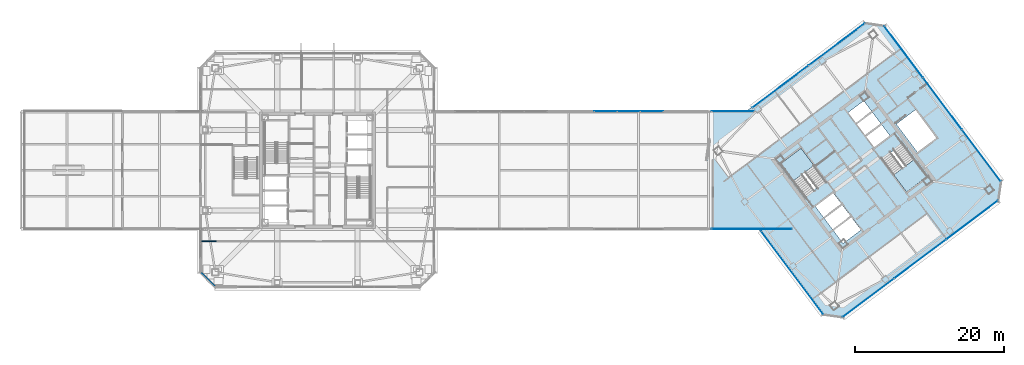
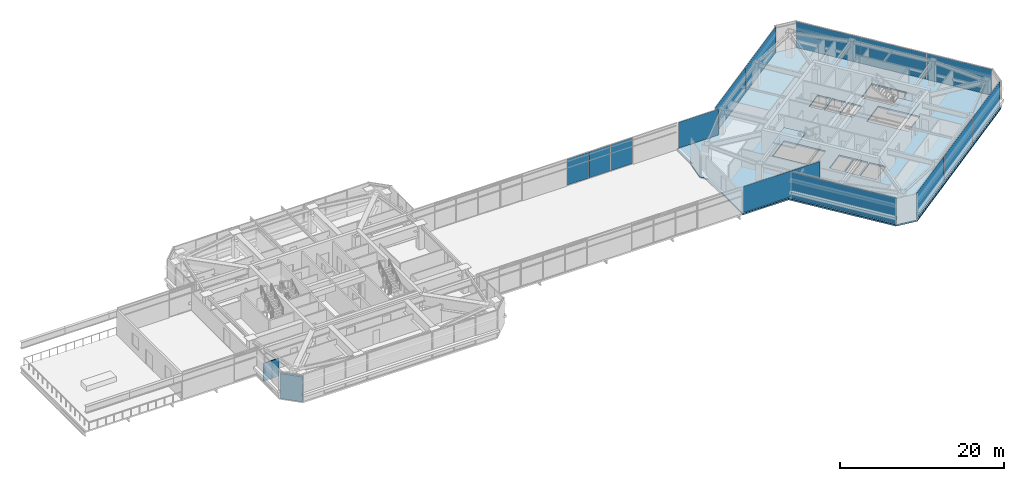
# One storey, part 40 of 51: 14 plates, 3 slabs, 2 walls, 9 elements without a shape of their own.
"""IFC4 building model written with IfcOpenShell, lengths in metres."""

from ifc_helpers import new_model, si_unit, direction, frame, frame_2d, origin, origin_2d, place, context, subcontext, project, spatial, polyline, rectangle, outline, extrude, material, layer, layer_set, type_object, element, aggregate, save


model = new_model("IFC4")

# Units and contexts
model_context = context("Model", 3, precision=1e-05, world=origin(), true_north=direction((0.0, 1.0)))
body_context = subcontext(model_context, "Body", "Model", "MODEL_VIEW")
ifc_project = project(units=[si_unit("LENGTHUNIT", "METRE"), si_unit("AREAUNIT", "SQUARE_METRE"), si_unit("VOLUMEUNIT", "CUBIC_METRE"), si_unit("PLANEANGLEUNIT", "RADIAN"), si_unit("MASSUNIT", "GRAM", prefix="KILO")], contexts=[model_context])

# Site, building, storey
site_placement = place(None, origin())
site = spatial("IfcSite", under=ifc_project, at=site_placement, CompositionType="ELEMENT")
building_placement = place(site_placement, origin())
building = spatial("IfcBuilding", under=site, at=building_placement, Name="Tashvorn Skyway Center", CompositionType="ELEMENT")
storey_placement = place(building_placement, frame((0.0, 0.0, 259.39990234375)))
storey = spatial("IfcBuildingStorey", under=building, at=storey_placement, Name="L70", CompositionType="ELEMENT", Elevation=259.39990234375)

# Curtain wall, plates
ifc_material_1 = material(Name="Thermally broken bronze-anodized aluminium 6063-T6", Category="aluminium")
curtain_wall_type = type_object("IfcCurtainWallType", Name="CW-CW-SKY", PredefinedType="NOTDEFINED", material=ifc_material_1)
curtain_wall_1_placement = place(storey_placement, origin())
curtain_wall_1 = element("IfcCurtainWall", 1, at=curtain_wall_1_placement, inside=storey, type_object=curtain_wall_type, Name="Tower 2 L70 South Unitised Curtain Wall", PredefinedType="NOTDEFINED")
ifc_material_2 = material(Name="Low-E solar-control double insulating safety glass", Category="glass")
ifc_layer_1 = layer(ifc_material_2, 0.028076171875)
ifc_layer_set_1 = layer_set([ifc_layer_1], Name="Low-E solar-control double insulating safety glass")
plate_type = type_object("IfcPlateType", Name="CWP-CW-SKY", PredefinedType="CURTAIN_PANEL", material=ifc_layer_set_1)
plate_1_placement = place(storey_placement, frame((129.89111328125, 25.318359375, 0.06494140625), z_axis=(0.0, 0.0, 1.0), x_axis=(-0.799999999998, -0.600000000002, 0.0)))
plate_1 = element("IfcPlate", 2, at=plate_1_placement, type_object=plate_type, Name="CW-SKY panel 1.1", PredefinedType="CURTAIN_PANEL", context=body_context, shape_type="SweptSolid", body=[
    extrude(rectangle(XDim=8.62255859375, YDim=0.028076171875, at=origin_2d()), origin(), (0.0, 0.0, 1.0), 3.8701171875),
])
plate_2_placement = place(storey_placement, frame((122.927978515625, 20.095947265625, 0.06494140625), z_axis=(0.0, 0.0, 1.0), x_axis=(-0.799999999998, -0.600000000002, 0.0)))
plate_2 = element("IfcPlate", 3, at=plate_2_placement, type_object=plate_type, Name="CW-SKY panel 2.1", PredefinedType="CURTAIN_PANEL", context=body_context, shape_type="SweptSolid", body=[
    extrude(rectangle(XDim=8.655029296875, YDim=0.028076171875, at=origin_2d()), origin(), (0.0, 0.0, 1.0), 3.8701171875),
])
plate_3_placement = place(storey_placement, frame((115.965087890625, 14.873779296875, 0.06494140625), z_axis=(0.0, 0.0, 1.0), x_axis=(-0.799999999998, -0.600000000002, 0.0)))
plate_3 = element("IfcPlate", 4, at=plate_3_placement, type_object=plate_type, Name="CW-SKY panel 3.1", PredefinedType="CURTAIN_PANEL", context=body_context, shape_type="SweptSolid", body=[
    extrude(rectangle(XDim=8.62255859375, YDim=0.028076171875, at=origin_2d()), origin(), (0.0, 0.0, 1.0), 3.8701171875),
])
aggregate(curtain_wall_1, [plate_1, plate_2, plate_3])

# Curtain wall, plate
curtain_wall_2_placement = place(storey_placement, origin())
curtain_wall_2 = element("IfcCurtainWall", 5, at=curtain_wall_2_placement, inside=storey, type_object=curtain_wall_type, Name="Tower 2 L70 West Curtain Wall A", PredefinedType="NOTDEFINED")
plate_4_placement = place(storey_placement, frame((105.735107421875, 18.219970703125, 0.06494140625), z_axis=(0.0, 0.0, 1.0), x_axis=(-0.600000000002, 0.799999999998, 0.0)))
plate_4 = element("IfcPlate", 6, at=plate_4_placement, type_object=plate_type, Name="CW-SKY panel 1.1", PredefinedType="CURTAIN_PANEL", context=body_context, shape_type="SweptSolid", body=[
    extrude(rectangle(XDim=13.89990234375, YDim=0.028076171875, at=origin_2d()), origin(), (0.0, 0.0, 1.0), 3.8701171875),
])
aggregate(curtain_wall_2, [plate_4])

# Curtain wall, plates
curtain_wall_3_placement = place(storey_placement, origin())
curtain_wall_3 = element("IfcCurtainWall", 7, at=curtain_wall_3_placement, inside=storey, type_object=curtain_wall_type, Name="Tower 2 L70 North Curtain Wall B", PredefinedType="NOTDEFINED")
plate_5_placement = place(storey_placement, frame((104.131103515625, 43.1982421875, 0.06494140625), z_axis=(0.0, 0.0, 1.0), x_axis=(0.799999999998, 0.600000000002, 0.0)))
plate_5 = element("IfcPlate", 8, at=plate_5_placement, type_object=plate_type, Name="CW-SKY panel 1.1", PredefinedType="CURTAIN_PANEL", context=body_context, shape_type="SweptSolid", body=[
    extrude(rectangle(XDim=9.41748046875, YDim=0.028076171875, at=origin_2d()), origin(), (0.0, 0.0, 1.0), 3.8701171875),
])
plate_6_placement = place(storey_placement, frame((111.717041015625, 48.8876953125, 0.06494140625), z_axis=(0.0, 0.0, 1.0), x_axis=(0.799999999998, 0.600000000002, 0.0)))
plate_6 = element("IfcPlate", 9, at=plate_6_placement, type_object=plate_type, Name="CW-SKY panel 2.1", PredefinedType="CURTAIN_PANEL", context=body_context, shape_type="SweptSolid", body=[
    extrude(rectangle(XDim=9.41748046875, YDim=0.028076171875, at=origin_2d()), origin(), (0.0, 0.0, 1.0), 3.8701171875),
])
aggregate(curtain_wall_3, [plate_5, plate_6])

curtain_wall_4_placement = place(storey_placement, origin())
curtain_wall_4 = element("IfcCurtainWall", 10, at=curtain_wall_4_placement, inside=storey, type_object=curtain_wall_type, Name="Tower 2 L70 East Unitised Curtain Wall", PredefinedType="NOTDEFINED")
plate_7_placement = place(storey_placement, frame((120.681640625, 47.89111328125, 0.06494140625), z_axis=(0.0, 0.0, 1.0), x_axis=(0.600000000002, -0.799999999998, 0.0)))
plate_7 = element("IfcPlate", 11, at=plate_7_placement, type_object=plate_type, Name="CW-SKY panel 1.1", PredefinedType="CURTAIN_PANEL", context=body_context, shape_type="SweptSolid", body=[
    extrude(rectangle(XDim=8.62255859375, YDim=0.028076171875, at=origin_2d()), origin(), (0.0, 0.0, 1.0), 3.8701171875),
])
plate_8_placement = place(storey_placement, frame((125.904052734375, 40.927978515625, 0.06494140625), z_axis=(0.0, 0.0, 1.0), x_axis=(0.600000000002, -0.799999999998, 0.0)))
plate_8 = element("IfcPlate", 12, at=plate_8_placement, type_object=plate_type, Name="CW-SKY panel 2.1", PredefinedType="CURTAIN_PANEL", context=body_context, shape_type="SweptSolid", body=[
    extrude(rectangle(XDim=8.655029296875, YDim=0.028076171875, at=origin_2d()), origin(), (0.0, 0.0, 1.0), 3.8701171875),
])
plate_9_placement = place(storey_placement, frame((131.126220703125, 33.965087890625, 0.06494140625), z_axis=(0.0, 0.0, 1.0), x_axis=(0.600000000002, -0.799999999998, 0.0)))
plate_9 = element("IfcPlate", 13, at=plate_9_placement, type_object=plate_type, Name="CW-SKY panel 3.1", PredefinedType="CURTAIN_PANEL", context=body_context, shape_type="SweptSolid", body=[
    extrude(rectangle(XDim=8.62255859375, YDim=0.028076171875, at=origin_2d()), origin(), (0.0, 0.0, 1.0), 3.8701171875),
])
aggregate(curtain_wall_4, [plate_7, plate_8, plate_9])

curtain_wall_5_placement = place(storey_placement, origin())
curtain_wall_5 = element("IfcCurtainWall", 14, at=curtain_wall_5_placement, inside=storey, type_object=curtain_wall_type, Name="Sky-Park L70 Bridge North Curtain Wall Glazing Group 2", PredefinedType="NOTDEFINED")
plate_10_placement = place(storey_placement, frame((80.69873046875, 39.89990234375, 0.06494140625), z_axis=(0.0, 0.0, 1.0), x_axis=(1.0, 0.0, 0.0)))
plate_10 = element("IfcPlate", 15, at=plate_10_placement, type_object=plate_type, Name="CW-SKY panel 1.1", PredefinedType="CURTAIN_PANEL", context=body_context, shape_type="SweptSolid", body=[
    extrude(rectangle(XDim=3.017578125, YDim=0.028076171875, at=origin_2d()), origin(), (0.0, 0.0, 1.0), 3.8701171875),
])
plate_11_placement = place(storey_placement, frame((83.797607421875, 39.89990234375, 0.06494140625), z_axis=(0.0, 0.0, 1.0), x_axis=(1.0, 0.0, 0.0)))
plate_11 = element("IfcPlate", 16, at=plate_11_placement, type_object=plate_type, Name="CW-SKY panel 2.1", PredefinedType="CURTAIN_PANEL", context=body_context, shape_type="SweptSolid", body=[
    extrude(rectangle(XDim=3.050048828125, YDim=0.028076171875, at=origin_2d()), origin(), (0.0, 0.0, 1.0), 3.8701171875),
])
plate_12_placement = place(storey_placement, frame((86.896240234375, 39.89990234375, 0.06494140625), z_axis=(0.0, 0.0, 1.0), x_axis=(1.0, 0.0, 0.0)))
plate_12 = element("IfcPlate", 17, at=plate_12_placement, type_object=plate_type, Name="CW-SKY panel 3.1", PredefinedType="CURTAIN_PANEL", context=body_context, shape_type="SweptSolid", body=[
    extrude(rectangle(XDim=3.017578125, YDim=0.028076171875, at=origin_2d()), origin(), (0.0, 0.0, 1.0), 3.8701171875),
])
aggregate(curtain_wall_5, [plate_10, plate_11, plate_12])

# Curtain wall, plate
curtain_wall_6_placement = place(storey_placement, origin())
curtain_wall_6 = element("IfcCurtainWall", 18, at=curtain_wall_6_placement, inside=storey, type_object=curtain_wall_type, Name="Tower 2 L70 Vestibule South Curtain Wall", PredefinedType="NOTDEFINED")
plate_13_placement = place(storey_placement, frame((100.31494140625, 24.10009765625, 0.06494140625), z_axis=(0.0, 0.0, 1.0), x_axis=(-1.0, 0.0, 0.0)))
plate_13 = element("IfcPlate", 19, at=plate_13_placement, type_object=plate_type, Name="CW-SKY panel 1.1", PredefinedType="CURTAIN_PANEL", context=body_context, shape_type="SweptSolid", body=[
    extrude(rectangle(XDim=10.739990234375, YDim=0.028076171875, at=origin_2d()), origin(), (0.0, 0.0, 1.0), 3.8701171875),
])
aggregate(curtain_wall_6, [plate_13])

curtain_wall_7_placement = place(storey_placement, origin())
curtain_wall_7 = element("IfcCurtainWall", 20, at=curtain_wall_7_placement, inside=storey, type_object=curtain_wall_type, Name="Tower 2 L70 Vestibule North Curtain Wall", PredefinedType="NOTDEFINED")
plate_14_placement = place(storey_placement, frame((97.764892578125, 39.89990234375, 0.06494140625), z_axis=(0.0, 0.0, 1.0), x_axis=(1.0, 0.0, 0.0)))
plate_14 = element("IfcPlate", 21, at=plate_14_placement, type_object=plate_type, Name="CW-SKY panel 1.1", PredefinedType="CURTAIN_PANEL", context=body_context, shape_type="SweptSolid", body=[
    extrude(rectangle(XDim=5.639892578125, YDim=0.028076171875, at=origin_2d()), origin(), (0.0, 0.0, 1.0), 3.8701171875),
])
aggregate(curtain_wall_7, [plate_14])

# Slab
ifc_material_3 = material(Name="Concrete C40/50", Category="concrete")
ifc_layer_2 = layer(ifc_material_3, 0.219970703125)
ifc_layer_set_2 = layer_set([ifc_layer_2], Name="Concrete C40/50")
slab_type_1 = type_object("IfcSlabType", Name="SLAB-FLR-220", PredefinedType="FLOOR", material=ifc_layer_set_2)
slab_1_placement = place(storey_placement, frame((0.0, 0.0, -0.219970703125)))
element("IfcSlab", 22, at=slab_1_placement, inside=storey, type_object=slab_type_1, Name="Tower 2 L70 Composite Floor Slab", PredefinedType="FLOOR", context=body_context, shape_type="SweptSolid", body=[
    extrude(outline(polyline([(115.39990234375, 51.800048828125), (118.199951171875, 51.39990234375), (133.800048828125, 30.60009765625), (133.39990234375, 27.800048828125), (112.60009765625, 12.199951171875), (109.800048828125, 12.60009765625), (101.25, 24.0), (94.820068359375, 24.0), (94.820068359375, 32.5732421875), (94.199951171875, 33.39990234375), (94.60009765625, 36.199951171875), (94.820068359375, 36.364990234375), (94.820068359375, 40.0), (99.666748046875, 40.0), (115.39990234375, 51.800048828125)]), holes=[polyline([(110.23193359375, 30.52392578125), (106.919921875, 34.93994140625), (104.135986328125, 32.85205078125), (107.447998046875, 28.43603515625), (110.23193359375, 30.52392578125)]), polyline([(117.76806640625, 33.47607421875), (121.080078125, 29.06005859375), (123.864013671875, 31.14794921875), (120.552001953125, 35.56396484375), (117.76806640625, 33.47607421875)]), polyline([(119.7119140625, 38.18408203125), (122.5439453125, 34.407958984375), (125.10400390625, 36.327880859375), (122.27197265625, 40.10400390625), (119.7119140625, 38.18408203125)]), polyline([(109.949951171875, 25.64990234375), (112.35009765625, 27.449951171875), (111.239990234375, 28.929931640625), (108.840087890625, 27.1298828125), (109.949951171875, 25.64990234375)]), polyline([(111.14990234375, 24.050048828125), (113.550048828125, 25.85009765625), (112.43994140625, 27.330078125), (110.0400390625, 25.530029296875), (111.14990234375, 24.050048828125)]), polyline([(112.56005859375, 22.169921875), (114.9599609375, 23.969970703125), (113.669921875, 25.68994140625), (111.27001953125, 23.889892578125), (112.56005859375, 22.169921875)]), polyline([(116.760009765625, 35.070068359375), (118.840087890625, 36.6298828125), (117.72998046875, 38.110107421875), (115.64990234375, 36.550048828125), (116.760009765625, 35.070068359375)]), polyline([(115.530029296875, 36.7099609375), (117.610107421875, 38.27001953125), (116.5, 39.75), (114.419921875, 38.18994140625), (115.530029296875, 36.7099609375)]), polyline([(114.300048828125, 38.35009765625), (116.3798828125, 39.909912109375), (115.330078125, 41.31005859375), (113.25, 39.75), (114.300048828125, 38.35009765625)])]), origin(), (0.0, 0.0, 1.0), 0.219970703125),
])

# Stair, slab
stair_type = type_object("IfcStairType", Name="STAIR-CORE-1500", PredefinedType="HALF_TURN_STAIR", material=ifc_material_3)
stair_1_placement = place(storey_placement, origin())
stair_1 = element("IfcStair", 23, at=stair_1_placement, inside=storey, type_object=stair_type, Name="L70 Tower 2 Exit Stair 1", PredefinedType="HALF_TURN_STAIR")
ifc_layer_3 = layer(ifc_material_3, 0.199951171875)
ifc_layer_set_3 = layer_set([ifc_layer_3], Name="Concrete C40/50")
slab_type_2 = type_object("IfcSlabType", Name="SLAB-LAND-200", PredefinedType="LANDING", material=ifc_layer_set_3)
slab_2_placement = place(storey_placement, frame((0.0, 0.0, 1.800048828125)))
slab_2 = element("IfcSlab", 24, at=slab_2_placement, type_object=slab_type_2, Name="ST-T2-1 landing 1", PredefinedType="LANDING", context=body_context, shape_type="SweptSolid", body=[
    extrude(outline(polyline([(108.65283203125, 32.629638671875), (106.919921875, 34.93994140625), (104.135986328125, 32.85205078125), (105.868896484375, 30.54150390625), (108.65283203125, 32.629638671875)])), origin(), (0.0, 0.0, 1.0), 0.199951171875),
])
aggregate(stair_1, [slab_2])

stair_2_placement = place(storey_placement, origin())
stair_2 = element("IfcStair", 25, at=stair_2_placement, inside=storey, type_object=stair_type, Name="L70 Tower 2 Exit Stair 2", PredefinedType="HALF_TURN_STAIR")
slab_3_placement = place(storey_placement, frame((0.0, 0.0, 1.800048828125)))
slab_3 = element("IfcSlab", 26, at=slab_3_placement, type_object=slab_type_2, Name="ST-T2-2 landing 1", PredefinedType="LANDING", context=body_context, shape_type="SweptSolid", body=[
    extrude(outline(polyline([(119.34716796875, 31.370361328125), (121.080078125, 29.06005859375), (123.864013671875, 31.14794921875), (122.131103515625, 33.45849609375), (119.34716796875, 31.370361328125)])), origin(), (0.0, 0.0, 1.0), 0.199951171875),
])
aggregate(stair_2, [slab_3])

# Walls
ifc_material_4 = material(Name="Precast concrete C40/50", Category="concrete")
ifc_layer_4 = layer(ifc_material_4, 0.280029296875)
ifc_layer_set_4 = layer_set([ifc_layer_4], Name="Precast concrete C40/50")
wall_type_1 = type_object("IfcWallType", Name="WALL-EXT-280", PredefinedType="SOLIDWALL", material=ifc_layer_set_4)
wall_1_placement = place(storey_placement, frame((28.300048828125, 16.300048828125, 0.0), z_axis=(0.0, 0.0, 1.0), x_axis=(-0.707106781187, 0.707106781187, 0.0)))
element("IfcWall", 27, at=wall_1_placement, inside=storey, type_object=wall_type_1, Name="Tower 1 L70 SW Precast Chamfer Wall", PredefinedType="SOLIDWALL", context=body_context, shape_type="SweptSolid", body=[
    extrude(rectangle(XDim=2.828369140625, YDim=0.280029296875, at=frame_2d((1.4140625, 0.0))), origin(), (0.0, 0.0, 1.0), 3.7001953125),
])
ifc_material_5 = material(Name="Gypsum board on cold-formed steel stud framing", Category="steel")
ifc_layer_5 = layer(ifc_material_5, 0.135009765625)
ifc_layer_set_5 = layer_set([ifc_layer_5], Name="Gypsum board on cold-formed steel stud framing")
wall_type_2 = type_object("IfcWallType", Name="WALL-PART-135", PredefinedType="PARTITIONING", material=ifc_layer_set_5)
wall_2_placement = place(storey_placement, frame((26.320068359375, 22.429931640625, 0.0), z_axis=(0.0, 0.0, 1.0), x_axis=(1.0, 0.0, 0.0)))
element("IfcWall", 28, at=wall_2_placement, inside=storey, type_object=wall_type_2, Name="Tower 1 L70 South-West Suite North Wall", PredefinedType="PARTITIONING", context=body_context, shape_type="SweptSolid", body=[
    extrude(rectangle(XDim=2.1298828125, YDim=0.135009765625, at=frame_2d((1.06494140625, 0.0))), origin(), (0.0, 0.0, 1.0), 2.6591796875),
])

save(model, "model.ifc")
